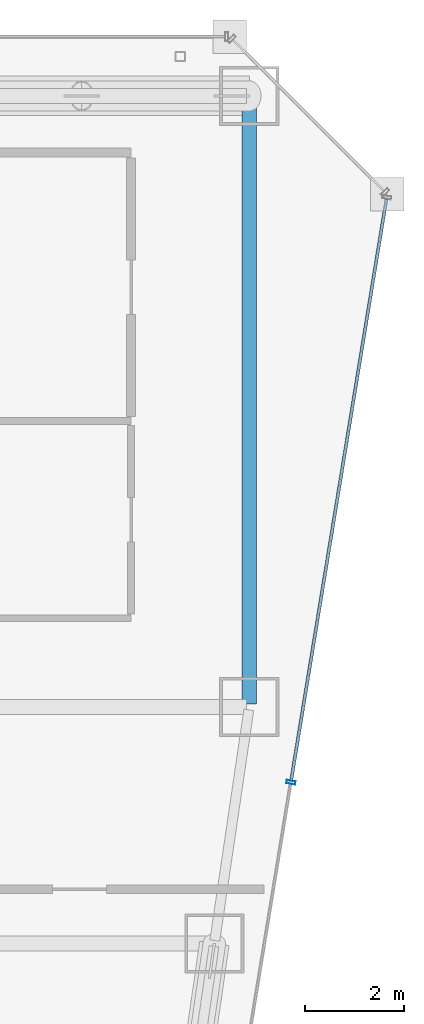
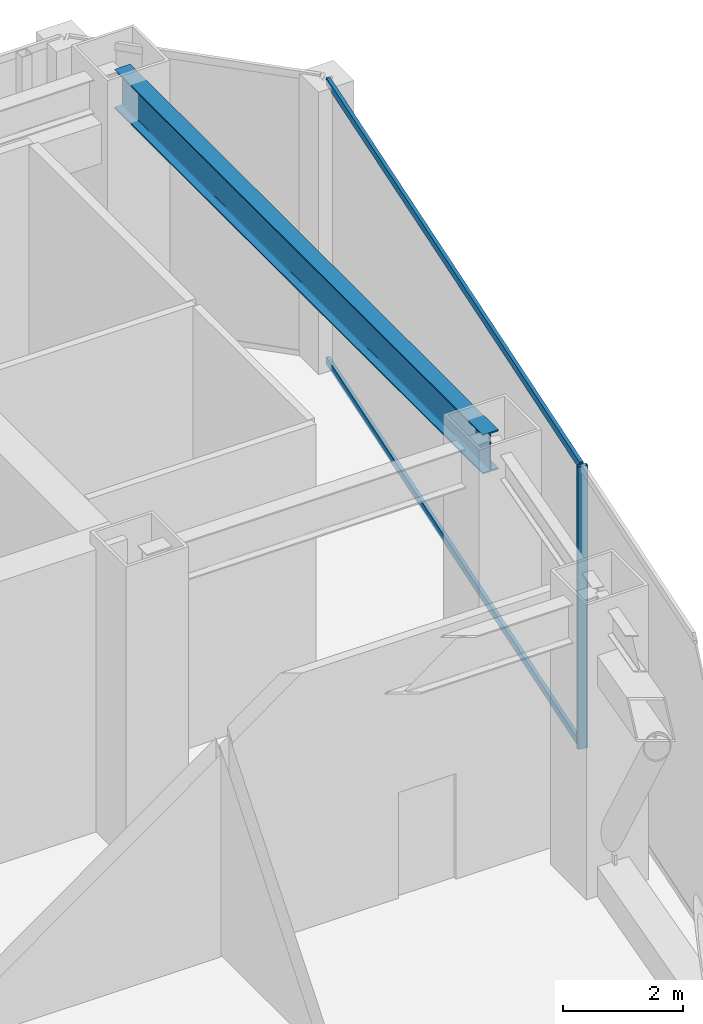
# One storey, part 25 of 35: 3 members, 1 beam, 1 element without a shape of its own.
"""IFC4 building model written with IfcOpenShell, lengths in metres."""

from ifc_helpers import new_model, si_unit, direction, frame, origin, origin_2d, place, context, subcontext, project, spatial, hollow_rectangle, i_section, extrude, material, material_profile, profile_set, type_object, element, aggregate, save


model = new_model("IFC4")

# Units and contexts
model_context = context("Model", 3, precision=1e-05, world=origin(), true_north=direction((0.0, 1.0)))
body_context = subcontext(model_context, "Body", "Model", "MODEL_VIEW")
ifc_project = project(units=[si_unit("LENGTHUNIT", "METRE"), si_unit("AREAUNIT", "SQUARE_METRE"), si_unit("VOLUMEUNIT", "CUBIC_METRE"), si_unit("PLANEANGLEUNIT", "RADIAN"), si_unit("MASSUNIT", "GRAM", prefix="KILO")], contexts=[model_context])

# Site, building, storey
site_placement = place(None, origin())
site = spatial("IfcSite", under=ifc_project, at=site_placement, CompositionType="ELEMENT")
building_placement = place(site_placement, origin())
building = spatial("IfcBuilding", under=site, at=building_placement, Name="Saevonmaru Cultural Tower", CompositionType="ELEMENT")
storey_placement = place(building_placement, frame((0.0, 0.0, 86.800048828125)))
storey = spatial("IfcBuildingStorey", under=building, at=storey_placement, Name="L18", CompositionType="ELEMENT", Elevation=86.800048828125)

# Beam
ifc_material_1 = material(Name="Steel SM420", Category="steel")
ifc_material_profile_1 = material_profile(ifc_material_1, i_section(OverallWidth=0.300048828125, OverallDepth=0.800048828125, WebThickness=0.013916015625, FlangeThickness=0.02587890625, FilletRadius=0.028076171875, at=origin_2d()), Name="H-800x300x14x26")
ifc_profile_set_1 = profile_set([ifc_material_profile_1], Name="Steel SM420")
beam_type = type_object("IfcBeamType", Name="BM-G-H800", PredefinedType="BEAM", material=ifc_profile_set_1)
beam_placement = place(storey_placement, frame((53.199951171875, 54.739990234375, 5.349853515625), z_axis=(0.0, -1.0, 0.0), x_axis=(1.0, 0.0, 0.0)))
element("IfcBeam", 1, at=beam_placement, inside=storey, type_object=beam_type, Name="L18 Spine Transverse Girder E", PredefinedType="BEAM", context=body_context, shape_type="SweptSolid", body=[
    extrude(i_section(OverallWidth=0.300048828125, OverallDepth=0.800048828125, WebThickness=0.013916015625, FlangeThickness=0.02587890625, FilletRadius=0.028076171875, at=origin_2d()), origin(), (0.0, 0.0, 1.0), 12.280029296875),
])

# Curtain wall, members
ifc_material_2 = material(Name="Satin Bronze Anodised Aluminium", Category="aluminium")
curtain_wall_type = type_object("IfcCurtainWallType", Name="CW-TYP-A", PredefinedType="NOTDEFINED", material=ifc_material_2)
curtain_wall_placement = place(storey_placement, origin())
curtain_wall = element("IfcCurtainWall", 2, at=curtain_wall_placement, inside=storey, type_object=curtain_wall_type, Name="L18 Wind-Floor Acoustic Louvre Screen E8", PredefinedType="NOTDEFINED")
ifc_material_profile_2 = material_profile(ifc_material_2, hollow_rectangle(XDim=0.06494140625, YDim=0.179931640625, WallThickness=0.00390625, at=origin_2d()), Name="ALU-MULL-180x65x4")
ifc_profile_set_2 = profile_set([ifc_material_profile_2], Name="Satin Bronze Anodised Aluminium")
member_type_1 = type_object("IfcMemberType", Name="ML-CW-180x65", PredefinedType="MULLION", material=ifc_profile_set_2)
member_1_placement = place(storey_placement, frame((54.045166015625, 40.870361328125, 0.0), z_axis=(0.0, 0.0, 1.0), x_axis=(0.161708868641, 0.986838508472, 0.0)))
member_1 = element("IfcMember", 3, at=member_1_placement, type_object=member_type_1, Name="CW-TW-L18-E8 mullion 4", PredefinedType="MULLION", context=body_context, shape_type="SweptSolid", body=[
    extrude(hollow_rectangle(XDim=0.06494140625, YDim=0.179931640625, WallThickness=0.00390625, at=origin_2d()), origin(), (0.0, 0.0, 1.0), 5.75),
])
ifc_material_profile_3 = material_profile(ifc_material_2, hollow_rectangle(XDim=0.06494140625, YDim=0.14990234375, WallThickness=0.00390625, at=origin_2d()), Name="ALU-TRAN-150x65x4")
ifc_profile_set_3 = profile_set([ifc_material_profile_3], Name="Satin Bronze Anodised Aluminium")
member_type_2 = type_object("IfcMemberType", Name="TR-CW-150x65", PredefinedType="USERDEFINED", material=ifc_profile_set_3)
member_2_placement = place(storey_placement, frame((54.05029296875, 40.902587890625, 0.032470703125), z_axis=(0.161724530373, 0.986835941925, 0.0), x_axis=(-0.986835941925, 0.161724530373, 0.0)))
member_2 = element("IfcMember", 4, at=member_2_placement, type_object=member_type_2, Name="CW-TW-L18-E8 transom 4.1", ObjectType="TRANSOM", PredefinedType="USERDEFINED", context=body_context, shape_type="SweptSolid", body=[
    extrude(hollow_rectangle(XDim=0.06494140625, YDim=0.14990234375, WallThickness=0.00390625, at=origin_2d()), origin(), (0.0, 0.0, 1.0), 11.963623046875),
])
member_3_placement = place(storey_placement, frame((54.05029296875, 40.902587890625, 5.717529296875), z_axis=(0.161724530373, 0.986835941925, 0.0), x_axis=(-0.986835941925, 0.161724530373, 0.0)))
member_3 = element("IfcMember", 5, at=member_3_placement, type_object=member_type_2, Name="CW-TW-L18-E8 transom 4.2", ObjectType="TRANSOM", PredefinedType="USERDEFINED", context=body_context, shape_type="SweptSolid", body=[
    extrude(hollow_rectangle(XDim=0.06494140625, YDim=0.14990234375, WallThickness=0.00390625, at=origin_2d()), origin(), (0.0, 0.0, 1.0), 11.963623046875),
])
aggregate(curtain_wall, [member_1, member_2, member_3])

save(model, "model.ifc")
